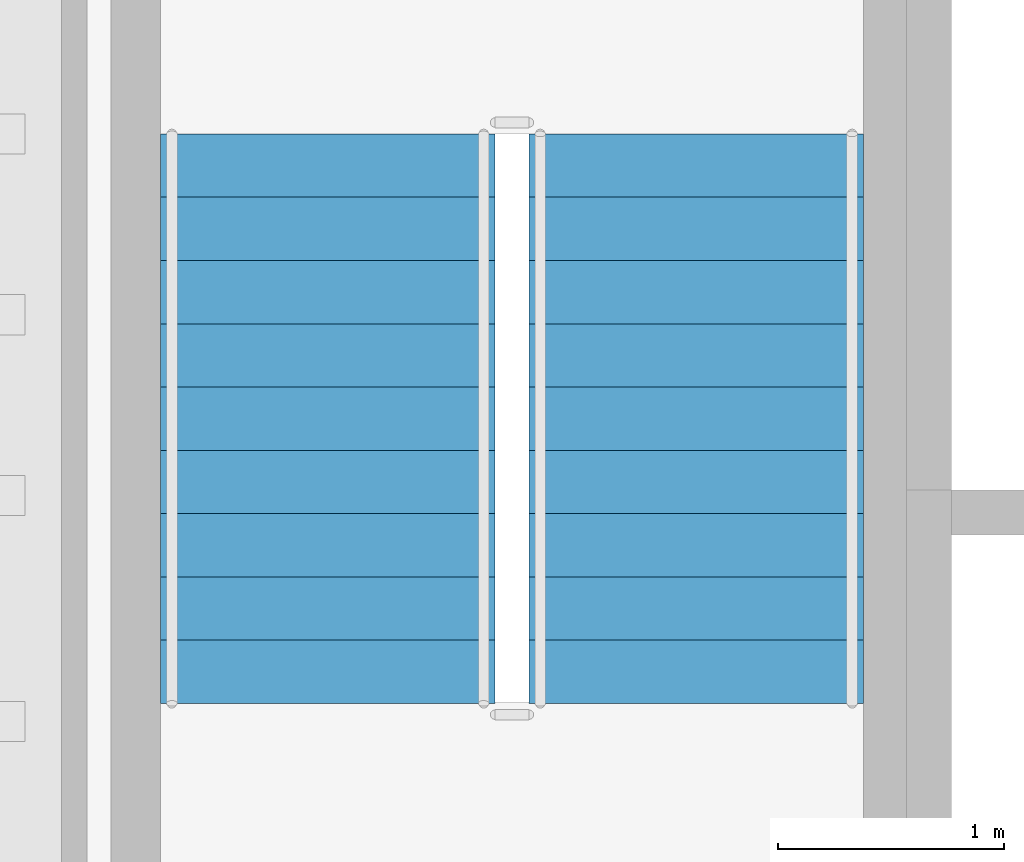
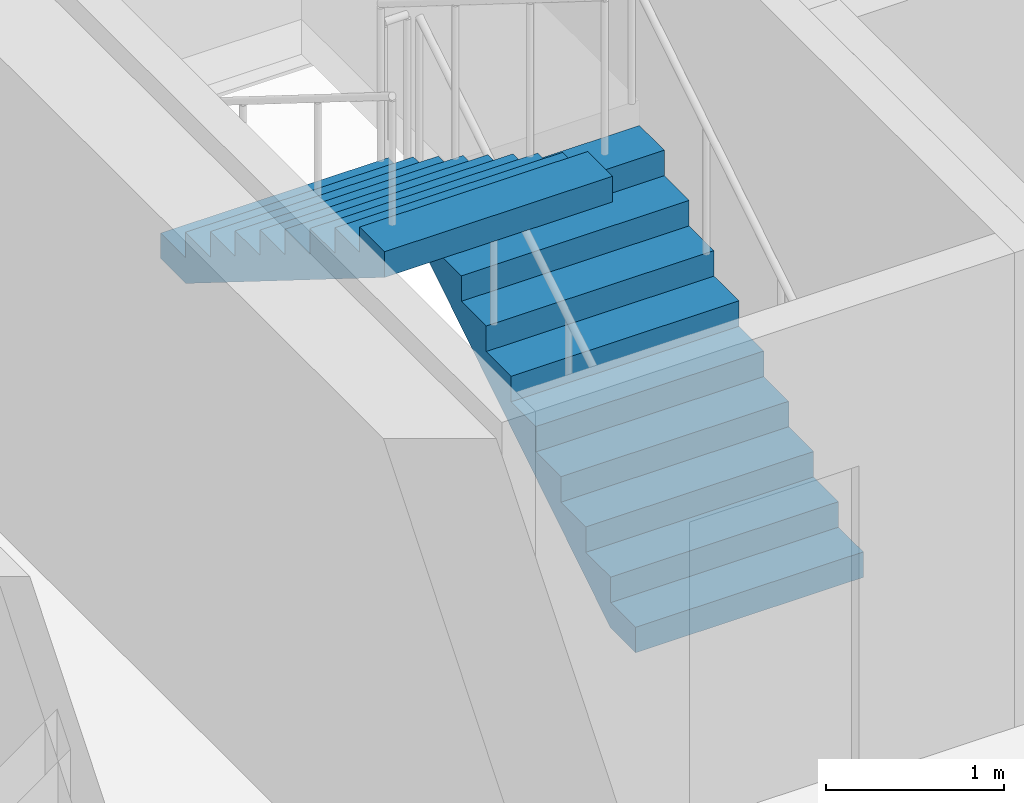
# One storey, part 17 of 20: 2 stair flights, 1 element without a shape of its own.
"""IFC4 building model written with IfcOpenShell, lengths in metres."""

import ifcopenshell
import ifcopenshell.guid

model = None  # the IFC model being written
_history = None  # IfcOwnerHistory: only IFC2X3 demands one
_inside = {}  # id of a spatial element -> (the spatial element, [elements in it])
_under = {}  # id of a project, library or spatial element -> (it, [spatial elements below it])
_declared = {}  # id of a project -> (the project, [libraries it declares])
_typed = {}  # id of a type object -> (the type object, [elements of that type])
_made_of = {}  # id of a material, layer set ... -> (it, [elements and type objects made of it])


def new_model(schema):
    """Start an empty IFC model of exactly this schema.

    Asked for "IFC4X3", IfcOpenShell would pick the latest addendum, in which some entities
    have other attributes; the version numbers below select the first issue.
    IFC2X3 requires an IfcOwnerHistory on every rooted entity: one is made here for all.
    """
    global model, _history
    if schema == "IFC4X3":
        model = ifcopenshell.file(schema_version=(4, 3, 0, 0))
    else:
        model = ifcopenshell.file(schema=schema)
    _inside.clear()
    _under.clear()
    _declared.clear()
    _typed.clear()
    _made_of.clear()
    _history = None
    if model.schema == "IFC2X3":
        org = make("IfcOrganization", Name="unknown")
        user = make(
            "IfcPersonAndOrganization",
            ThePerson=make("IfcPerson", FamilyName="unknown"),
            TheOrganization=org,
        )
        app = make(
            "IfcApplication",
            ApplicationDeveloper=org,
            Version="unknown",
            ApplicationFullName="unknown",
            ApplicationIdentifier="unknown",
        )
        _history = make(
            "IfcOwnerHistory",
            OwningUser=user,
            OwningApplication=app,
            ChangeAction="ADDED",
            CreationDate=0,
        )
    return model


def make(cls, **values):
    """One entity of the class cls with the attributes given. An attribute that is None is left unset."""
    return model.create_entity(
        cls, **{name: value for name, value in values.items() if value is not None}
    )


def rooted(cls, **values):
    """An entity with a GlobalId (a new one), such as an element, a storey or a relation."""
    return make(cls, GlobalId=ifcopenshell.guid.new(), OwnerHistory=_history, **values)


def si_unit(unit_type, name, prefix=None):
    """IfcSIUnit, for example si_unit("LENGTHUNIT", "METRE", prefix="MILLI")."""
    return make("IfcSIUnit", UnitType=unit_type, Prefix=prefix, Name=name)


def assignment(units):
    """IfcUnitAssignment: the units of a project."""
    return None if units is None else make("IfcUnitAssignment", Units=units)


def point(xyz):
    """IfcCartesianPoint."""
    return None if xyz is None else make("IfcCartesianPoint", Coordinates=xyz)


def direction(xyz):
    """IfcDirection."""
    return None if xyz is None else make("IfcDirection", DirectionRatios=xyz)


def frame(location, z_axis=None, x_axis=None):
    """IfcAxis2Placement3D, a coordinate frame: its origin and axes. An axis left out is left unset."""
    return make(
        "IfcAxis2Placement3D",
        Location=point(location),
        Axis=direction(z_axis),
        RefDirection=direction(x_axis),
    )


def origin():
    """The frame at (0, 0, 0) with its axes left unset."""
    return frame((0.0, 0.0, 0.0))


def place(relative_to, where):
    """IfcLocalPlacement: puts the frame where relative to a parent placement (None: the world)."""
    return make(
        "IfcLocalPlacement", PlacementRelTo=relative_to, RelativePlacement=where
    )


def context(
    kind, dimensions, precision=None, world=None, true_north=None, identifier=None
):
    """IfcGeometricRepresentationContext, for example the 3D "Model" context."""
    return make(
        "IfcGeometricRepresentationContext",
        ContextIdentifier=identifier,
        ContextType=kind,
        CoordinateSpaceDimension=dimensions,
        Precision=precision,
        WorldCoordinateSystem=world,
        TrueNorth=true_north,
    )


def subcontext(parent, identifier, kind, view, scale=None):
    """IfcGeometricRepresentationSubContext, for example "Body" below "Model"."""
    return make(
        "IfcGeometricRepresentationSubContext",
        ContextIdentifier=identifier,
        ContextType=kind,
        ParentContext=parent,
        TargetScale=scale,
        TargetView=view,
    )


def project(units=None, contexts=None):
    """IfcProject with its units and contexts."""
    return rooted(
        "IfcProject",
        Name="project",
        RepresentationContexts=contexts,
        UnitsInContext=assignment(units),
    )


def spatial(cls, under=None, at=None, **own):
    """A site, building, storey or space (cls), placed at a placement, below another one or the project."""
    s = rooted(cls, ObjectPlacement=at, **own)
    if under is not None:
        _under.setdefault(under.id(), (under, []))[1].append(s)
    return s


def polyline(points):
    """IfcPolyline through the points."""
    return make("IfcPolyline", Points=[point(p) for p in points])


def outline(outer, holes=None, kind="AREA"):
    """IfcArbitraryClosedProfileDef: a profile drawn as a closed curve; with holes, ...WithVoids."""
    if holes is None:
        return make("IfcArbitraryClosedProfileDef", ProfileType=kind, OuterCurve=outer)
    return make(
        "IfcArbitraryProfileDefWithVoids",
        ProfileType=kind,
        OuterCurve=outer,
        InnerCurves=holes,
    )


def extrude(swept, where, along, depth):
    """IfcExtrudedAreaSolid: the profile swept, set in the frame where, extruded along a direction by depth."""
    return make(
        "IfcExtrudedAreaSolid",
        SweptArea=swept,
        Position=where,
        ExtrudedDirection=direction(along),
        Depth=depth,
    )


def shape(context_of_items, identifier, shape_type, items):
    """IfcShapeRepresentation: the items that make up one representation, for example the "Body"."""
    return make(
        "IfcShapeRepresentation",
        ContextOfItems=context_of_items,
        RepresentationIdentifier=identifier,
        RepresentationType=shape_type,
        Items=items,
    )


def material(Name=None, Category=None):
    """IfcMaterial."""
    return make("IfcMaterial", Name=Name, Category=Category)


def made_of(thing, what):
    """Note that an element or type object is made of a material, layer set ...; save() writes the relation."""
    if what is not None:
        _made_of.setdefault(what.id(), (what, []))[1].append(thing)
    return thing


def type_object(cls, material=None, **own):
    """A type object (cls), such as IfcWallType, which elements share."""
    return made_of(rooted(cls, **own), material)


def element(
    cls,
    number,
    at=None,
    inside=None,
    cuts=None,
    type_object=None,
    material=None,
    context=None,
    identifier="Body",
    shape_type=None,
    held_by="IfcProductDefinitionShape",
    body=None,
    shapes=None,
    **own,
):
    """One element of the class cls, such as IfcWall. Its Tag is "e" and its number.

    at: its placement. inside: the storey or other place that contains it. cuts: it is an
    opening in that element (IfcRelVoidsElement). A single representation is given by context,
    identifier, shape_type and body (its items); several are given by shapes. held_by: the class
    of the entity that holds the representations. save() writes the other relations.
    """
    e = rooted(cls, Tag="e%d" % number, ObjectPlacement=at, **own)
    if body is not None:
        shapes = [shape(context, identifier, shape_type, body)]
    if shapes is not None:
        e.Representation = make(held_by, Representations=shapes)
    if inside is not None:
        _inside.setdefault(inside.id(), (inside, []))[1].append(e)
    if cuts is not None:
        rooted(
            "IfcRelVoidsElement", RelatingBuildingElement=cuts, RelatedOpeningElement=e
        )
    if type_object is not None:
        _typed.setdefault(type_object.id(), (type_object, []))[1].append(e)
    return made_of(e, material)


def aggregate(whole, parts):
    """IfcRelAggregates: a whole, such as a stair, and the parts it consists of."""
    return rooted("IfcRelAggregates", RelatingObject=whole, RelatedObjects=parts)


def save(model, path):
    """Write the relations noted so far, then the file.

    IfcRelAggregates (storeys below a building ...), IfcRelContainedInSpatialStructure (elements
    in a storey), IfcRelDefinesByType, IfcRelAssociatesMaterial and IfcRelDeclares: one each for
    every whole, place, type object, material and project.
    """
    for whole, parts in _under.values():
        aggregate(whole, parts)
    for where, things in _inside.values():
        rooted(
            "IfcRelContainedInSpatialStructure",
            RelatedElements=things,
            RelatingStructure=where,
        )
    for kind, things in _typed.values():
        rooted("IfcRelDefinesByType", RelatedObjects=things, RelatingType=kind)
    for what, things in _made_of.values():
        rooted("IfcRelAssociatesMaterial", RelatedObjects=things, RelatingMaterial=what)
    for by, libraries in _declared.values():
        rooted("IfcRelDeclares", RelatingContext=by, RelatedDefinitions=libraries)
    model.write(path)


model = new_model("IFC4")

# Units and contexts
model_context = context("Model", 3, precision=1e-05, world=origin(), true_north=direction((0.0, 1.0)))
body_context = subcontext(model_context, "Body", "Model", "MODEL_VIEW")
ifc_project = project(units=[si_unit("LENGTHUNIT", "METRE"), si_unit("AREAUNIT", "SQUARE_METRE"), si_unit("VOLUMEUNIT", "CUBIC_METRE"), si_unit("PLANEANGLEUNIT", "RADIAN"), si_unit("MASSUNIT", "GRAM", prefix="KILO")], contexts=[model_context])

# Site, building, storey
site_placement = place(None, origin())
site = spatial("IfcSite", under=ifc_project, at=site_placement, CompositionType="ELEMENT")
building_placement = place(site_placement, origin())
building = spatial("IfcBuilding", under=site, at=building_placement, Name="Valdorenza Pilgrim Sanctuary Tower", CompositionType="ELEMENT")
storey_placement = place(building_placement, frame((0.0, 0.0, 280.0)))
storey = spatial("IfcBuildingStorey", under=building, at=storey_placement, Name="L73", CompositionType="ELEMENT", Elevation=280.0)

# Stair, stair flights
ifc_material = material(Name="Concrete C40/50", Category="concrete")
stair_type = type_object("IfcStairType", Name="STR-DOG-CORE", PredefinedType="HALF_TURN_STAIR", material=ifc_material)
stair_placement = place(storey_placement, origin())
stair = element("IfcStair", 1, at=stair_placement, inside=storey, type_object=stair_type, Name="L73 ST-A1", PredefinedType="HALF_TURN_STAIR")
stair_flight_type = type_object("IfcStairFlightType", Name="STF-RC-1400", PredefinedType="STRAIGHT", material=ifc_material)
stair_flight_1_placement = place(storey_placement, frame((-19.679931640625, 3.47998046875, 0.0), z_axis=(0.0, 0.0, 1.0), x_axis=(0.0, 1.0, 0.0)))
stair_flight_1 = element("IfcStairFlight", 2, at=stair_flight_1_placement, type_object=stair_flight_type, Name="ST-A1 flight 1", NumberOfRisers=10, NumberOfTreads=9, PredefinedType="STRAIGHT", RiserHeight=0.175, TreadLength=0.28, context=body_context, shape_type="SweptSolid", body=[
    extrude(outline(polyline([(0.0, 0.0), (0.0, 0.175048828125), (0.280029296875, 0.175048828125), (0.280029296875, 0.35009765625), (0.56005859375, 0.35009765625), (0.56005859375, 0.52490234375), (0.840087890625, 0.52490234375), (0.840087890625, 0.699951171875), (1.1201171875, 0.699951171875), (1.1201171875, 0.875), (1.39990234375, 0.875), (1.39990234375, 1.050048828125), (1.679931640625, 1.050048828125), (1.679931640625, 1.22509765625), (1.9599609375, 1.22509765625), (1.9599609375, 1.39990234375), (2.239990234375, 1.39990234375), (2.239990234375, 1.574951171875), (2.52001953125, 1.574951171875), (2.52001953125, 1.75), (2.52001953125, 1.398193359375), (0.28271484375, 0.0), (0.0, 0.0)])), frame((0.0, 0.739990234375, 0.0), z_axis=(0.0, -1.0, 0.0), x_axis=(1.0, 0.0, 0.0)), (0.0, 0.0, 1.0), 1.47998046875),
])
stair_flight_2_placement = place(storey_placement, frame((-21.31005859375, 6.0, 1.75), z_axis=(0.0, 0.0, 1.0), x_axis=(0.0, -1.0, 0.0)))
stair_flight_2 = element("IfcStairFlight", 3, at=stair_flight_2_placement, type_object=stair_flight_type, Name="ST-A1 flight 2", NumberOfRisers=10, NumberOfTreads=9, PredefinedType="STRAIGHT", RiserHeight=0.175, TreadLength=0.28, context=body_context, shape_type="SweptSolid", body=[
    extrude(outline(polyline([(0.0, 0.0), (0.0, 0.175048828125), (0.280029296875, 0.175048828125), (0.280029296875, 0.35009765625), (0.56005859375, 0.35009765625), (0.56005859375, 0.52490234375), (0.840087890625, 0.52490234375), (0.840087890625, 0.699951171875), (1.1201171875, 0.699951171875), (1.1201171875, 0.875), (1.39990234375, 0.875), (1.39990234375, 1.050048828125), (1.679931640625, 1.050048828125), (1.679931640625, 1.22509765625), (1.9599609375, 1.22509765625), (1.9599609375, 1.39990234375), (2.239990234375, 1.39990234375), (2.239990234375, 1.574951171875), (2.52001953125, 1.574951171875), (2.52001953125, 1.75), (2.52001953125, 1.398193359375), (0.28271484375, 0.0), (0.0, 0.0)])), frame((0.0, 0.739990234375, 0.0), z_axis=(0.0, -1.0, 0.0), x_axis=(1.0, 0.0, 0.0)), (0.0, 0.0, 1.0), 1.47998046875),
])
aggregate(stair, [stair_flight_1, stair_flight_2])

save(model, "model.ifc")
